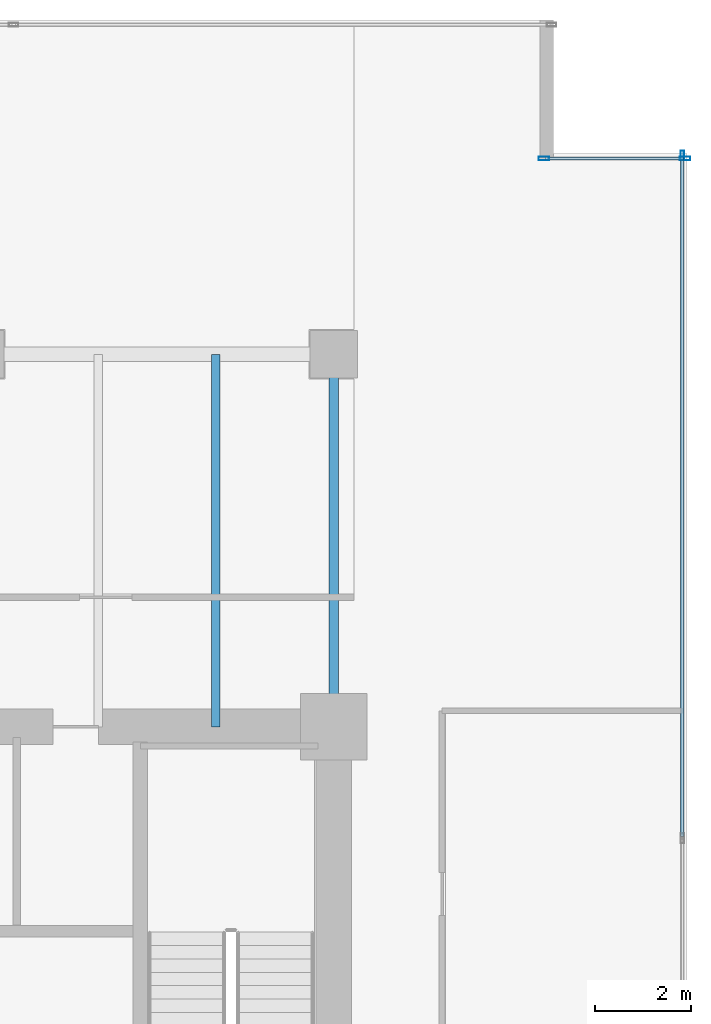
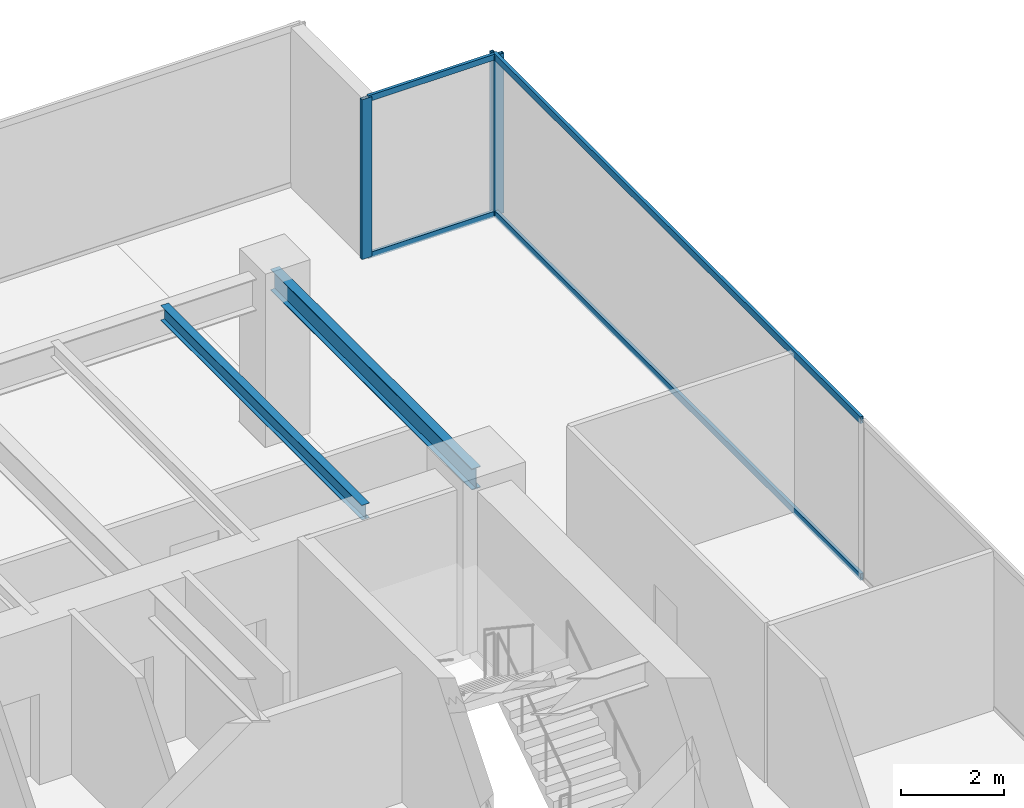
# One storey, part 26 of 36: 7 members, 2 beams, 2 elements without a shape of their own.
"""IFC4 building model written with IfcOpenShell, lengths in metres."""

from ifc_helpers import new_model, si_unit, direction, frame, origin, origin_2d, place, context, subcontext, project, spatial, hollow_rectangle, i_section, extrude, source, transform, mapped, material, layer, layer_set, material_profile, profile_set, type_object, type_shapes, element, aggregate, save


model = new_model("IFC4")

# Units and contexts
model_context = context("Model", 3, precision=1e-05, world=origin(), true_north=direction((0.0, 1.0)))
body_context = subcontext(model_context, "Body", "Model", "MODEL_VIEW")
ifc_project = project(units=[si_unit("LENGTHUNIT", "METRE"), si_unit("AREAUNIT", "SQUARE_METRE"), si_unit("VOLUMEUNIT", "CUBIC_METRE"), si_unit("PLANEANGLEUNIT", "RADIAN"), si_unit("MASSUNIT", "GRAM", prefix="KILO")], contexts=[model_context])

# Site, building, storey
site_placement = place(None, origin())
site = spatial("IfcSite", under=ifc_project, at=site_placement, CompositionType="ELEMENT")
building_placement = place(site_placement, origin())
building = spatial("IfcBuilding", under=site, at=building_placement, Name="Haelvirn Gate Laboratories", CompositionType="ELEMENT")
storey_placement = place(building_placement, frame((0.0, 0.0, 49.800048828125)))
storey = spatial("IfcBuildingStorey", under=building, at=storey_placement, Name="L12", CompositionType="ELEMENT", Elevation=49.800048828125)

# Beams
ifc_material_1 = material(Name="Steel SM355", Category="steel")
ifc_material_profile_1 = material_profile(ifc_material_1, i_section(OverallWidth=0.199951171875, OverallDepth=0.5, WebThickness=0.010009765625, FlangeThickness=0.01611328125, at=origin_2d()), Name="H-500x200x10x16")
ifc_profile_set_1 = profile_set([ifc_material_profile_1], Name="Steel SM355")
beam_type_1 = type_object("IfcBeamType", Name="BM-SP-500", PredefinedType="SPANDREL", material=ifc_profile_set_1)
shared_shape_1 = source(origin(), body_context, "Body", "SweptSolid", [
    extrude(i_section(OverallWidth=0.199951171875, OverallDepth=0.5, WebThickness=0.010009765625, FlangeThickness=0.01611328125, at=origin_2d()), origin(), (0.0, 0.0, 1.0), 7.800048828125),
])
type_shapes(beam_type_1, [shared_shape_1])
beam_1_placement = place(storey_placement, frame((67.39990234375, 33.800048828125, 3.530029296875), z_axis=(0.0, 1.0, 0.0), x_axis=(-1.0, 0.0, 0.0)))
element("IfcBeam", 1, at=beam_1_placement, inside=storey, type_object=beam_type_1, Name="L12 Perimeter Spandrel X67.4 (33.8-41.6)", PredefinedType="SPANDREL", context=body_context, shape_type="MappedRepresentation", body=[
    mapped(shared_shape_1, transform((0.0, 0.0, 0.0), scale=1.0)),
])
ifc_material_profile_2 = material_profile(ifc_material_1, i_section(OverallWidth=0.175048828125, OverallDepth=0.35009765625, WebThickness=0.007080078125, FlangeThickness=0.010986328125, at=origin_2d()), Name="H-350x175x7x11")
ifc_profile_set_2 = profile_set([ifc_material_profile_2], Name="Steel SM355")
beam_type_2 = type_object("IfcBeamType", Name="BM-J-350", PredefinedType="JOIST", material=ifc_profile_set_2)
shared_shape_2 = source(origin(), body_context, "Body", "SweptSolid", [
    extrude(i_section(OverallWidth=0.175048828125, OverallDepth=0.35009765625, WebThickness=0.007080078125, FlangeThickness=0.010986328125, at=origin_2d()), origin(), (0.0, 0.0, 1.0), 7.800048828125),
])
type_shapes(beam_type_2, [shared_shape_2])
beam_2_placement = place(storey_placement, frame((64.929931640625, 33.800048828125, 3.60498046875), z_axis=(0.0, 1.0, 0.0), x_axis=(-1.0, 0.0, 0.0)))
element("IfcBeam", 2, at=beam_2_placement, inside=storey, type_object=beam_type_2, Name="L12 Composite Lab Joist North X64.93", PredefinedType="JOIST", context=body_context, shape_type="MappedRepresentation", body=[
    mapped(shared_shape_2, transform((0.0, 0.0, 0.0), scale=1.0)),
])

# Curtain wall, member
ifc_material_2 = material(Name="Anodised bronze unitised aluminium & triple low-E glass", Category="aluminium")
ifc_layer_1 = layer(ifc_material_2, 0.18408203125, Name="CW-SYS-2")
ifc_layer_set_1 = layer_set([ifc_layer_1], Name="Anodised bronze unitised aluminium & triple low-E glass")
curtain_wall_type_1 = type_object("IfcCurtainWallType", Name="CW-SYS-2", PredefinedType="NOTDEFINED", material=ifc_layer_set_1)
curtain_wall_1_placement = place(storey_placement, origin())
curtain_wall_1 = element("IfcCurtainWall", 3, at=curtain_wall_1_placement, inside=storey, type_object=curtain_wall_type_1, Name="L12 Unitised Curtain Wall CW-L12-P0-E07", PredefinedType="NOTDEFINED")
ifc_material_3 = material(Name="Extruded aluminium 6063-T6 (anodised bronze)", Category="aluminium")
ifc_material_profile_3 = material_profile(ifc_material_3, hollow_rectangle(XDim=0.074951171875, YDim=0.199951171875, WallThickness=0.0048828125, at=origin_2d()), Name="CWM-200x75x5")
ifc_profile_set_3 = profile_set([ifc_material_profile_3], Name="Extruded aluminium 6063-T6 (anodised bronze)")
member_type_1 = type_object("IfcMemberType", Name="CWM-T200", PredefinedType="MULLION", material=ifc_profile_set_3)
shared_shape_3 = source(origin(), body_context, "Body", "SweptSolid", [
    extrude(hollow_rectangle(XDim=0.074951171875, YDim=0.199951171875, WallThickness=0.0048828125, at=origin_2d()), origin(), (0.0, 0.0, 1.0), 3.780029296875),
])
type_shapes(member_type_1, [shared_shape_3])
member_1_placement = place(storey_placement, frame((74.699951171875, 45.762451171875, 0.0), z_axis=(0.0, 0.0, 1.0), x_axis=(-1.0, 0.0, 0.0)))
member_1 = element("IfcMember", 4, at=member_1_placement, type_object=member_type_1, Name="CW2 mullion 4", PredefinedType="MULLION", context=body_context, shape_type="MappedRepresentation", body=[
    mapped(shared_shape_3, transform((0.0, 0.0, 0.0), scale=1.0)),
])

# Curtain wall, members
ifc_layer_2 = layer(ifc_material_2, 0.181884765625, Name="CW-SYS-5")
ifc_layer_set_2 = layer_set([ifc_layer_2], Name="Anodised bronze unitised aluminium & triple low-E glass")
curtain_wall_type_2 = type_object("IfcCurtainWallType", Name="CW-SYS-5", PredefinedType="NOTDEFINED", material=ifc_layer_set_2)
curtain_wall_2_placement = place(storey_placement, origin())
curtain_wall_2 = element("IfcCurtainWall", 5, at=curtain_wall_2_placement, inside=storey, type_object=curtain_wall_type_2, Name="L12 Unitised Curtain Wall CW-L12-P0-E08-1", PredefinedType="NOTDEFINED")
ifc_material_profile_4 = material_profile(ifc_material_3, hollow_rectangle(XDim=0.080078125, YDim=0.219970703125, WallThickness=0.006103515625, at=origin_2d()), Name="CWM-220x80x6")
ifc_profile_set_4 = profile_set([ifc_material_profile_4], Name="Extruded aluminium 6063-T6 (anodised bronze)")
member_type_2 = type_object("IfcMemberType", Name="CWM-T220", PredefinedType="MULLION", material=ifc_profile_set_4)
shared_shape_4 = source(origin(), body_context, "Body", "SweptSolid", [
    extrude(hollow_rectangle(XDim=0.080078125, YDim=0.219970703125, WallThickness=0.006103515625, at=origin_2d()), origin(), (0.0, 0.0, 1.0), 3.780029296875),
])
type_shapes(member_type_2, [shared_shape_4])
member_2_placement = place(storey_placement, frame((71.800048828125, 45.699951171875, 0.0), z_axis=(0.0, 0.0, 1.0), x_axis=(0.0, 1.0, 0.0)))
member_2 = element("IfcMember", 6, at=member_2_placement, type_object=member_type_2, Name="CW5 mullion 1", PredefinedType="MULLION", context=body_context, shape_type="MappedRepresentation", body=[
    mapped(shared_shape_4, transform((0.0, 0.0, 0.0), scale=1.0)),
])
member_3_placement = place(storey_placement, frame((74.760009765625, 45.699951171875, 0.0), z_axis=(0.0, 0.0, 1.0), x_axis=(0.0, 1.0, 0.0)))
member_3 = element("IfcMember", 7, at=member_3_placement, type_object=member_type_2, Name="CW5 mullion 2", PredefinedType="MULLION", context=body_context, shape_type="MappedRepresentation", body=[
    mapped(shared_shape_4, transform((0.0, 0.0, 0.0), scale=1.0)),
])
ifc_material_profile_5 = material_profile(ifc_material_3, hollow_rectangle(XDim=0.06494140625, YDim=0.139892578125, WallThickness=0.00390625, at=origin_2d()), Name="CWT-140x65x4")
ifc_profile_set_5 = profile_set([ifc_material_profile_5], Name="Extruded aluminium 6063-T6 (anodised bronze)")
member_type_3 = type_object("IfcMemberType", Name="CWT-T140", PredefinedType="USERDEFINED", material=ifc_profile_set_5)
shared_shape_5 = source(origin(), body_context, "Body", "SweptSolid", [
    extrude(hollow_rectangle(XDim=0.06494140625, YDim=0.139892578125, WallThickness=0.00390625, at=origin_2d()), origin(), (0.0, 0.0, 1.0), 2.8798828125),
])
type_shapes(member_type_3, [shared_shape_5])
member_4_placement = place(storey_placement, frame((71.840087890625, 45.699951171875, 0.032470703125), z_axis=(1.0, 0.0, 0.0), x_axis=(0.0, 1.0, 0.0)))
member_4 = element("IfcMember", 8, at=member_4_placement, type_object=member_type_3, Name="CW5 transom 1.1", ObjectType="TRANSOM", PredefinedType="USERDEFINED", context=body_context, shape_type="MappedRepresentation", body=[
    mapped(shared_shape_5, transform((0.0, 0.0, 0.0), scale=1.0)),
])
member_5_placement = place(storey_placement, frame((71.840087890625, 45.699951171875, 3.74755859375), z_axis=(1.0, 0.0, 0.0), x_axis=(0.0, 1.0, 0.0)))
member_5 = element("IfcMember", 9, at=member_5_placement, type_object=member_type_3, Name="CW5 transom 1.2", ObjectType="TRANSOM", PredefinedType="USERDEFINED", context=body_context, shape_type="MappedRepresentation", body=[
    mapped(shared_shape_5, transform((0.0, 0.0, 0.0), scale=1.0)),
])
aggregate(curtain_wall_2, [member_2, member_3, member_4, member_5])

# Member
ifc_material_profile_6 = material_profile(ifc_material_3, hollow_rectangle(XDim=0.070068359375, YDim=0.159912109375, WallThickness=0.0048828125, at=origin_2d()), Name="CWT-160x70x5")
ifc_profile_set_6 = profile_set([ifc_material_profile_6], Name="Extruded aluminium 6063-T6 (anodised bronze)")
member_type_4 = type_object("IfcMemberType", Name="CWT-T160", PredefinedType="USERDEFINED", material=ifc_profile_set_6)
shared_shape_6 = source(origin(), body_context, "Body", "SweptSolid", [
    extrude(hollow_rectangle(XDim=0.070068359375, YDim=0.159912109375, WallThickness=0.0048828125, at=origin_2d()), origin(), (0.0, 0.0, 1.0), 14.220947265625),
])
type_shapes(member_type_4, [shared_shape_6])
member_6_placement = place(storey_placement, frame((74.699951171875, 31.504150390625, 0.034912109375), z_axis=(0.0, 1.0, 0.0), x_axis=(-1.0, 0.0, 0.0)))
member_6 = element("IfcMember", 10, at=member_6_placement, type_object=member_type_4, Name="CW2 transom 3.1", ObjectType="TRANSOM", PredefinedType="USERDEFINED", context=body_context, shape_type="MappedRepresentation", body=[
    mapped(shared_shape_6, transform((0.0, 0.0, 0.0), scale=1.0)),
])

member_7_placement = place(storey_placement, frame((74.699951171875, 31.504150390625, 3.744873046875), z_axis=(0.0, 1.0, 0.0), x_axis=(-1.0, 0.0, 0.0)))
member_7 = element("IfcMember", 11, at=member_7_placement, type_object=member_type_4, Name="CW2 transom 3.2", ObjectType="TRANSOM", PredefinedType="USERDEFINED", context=body_context, shape_type="MappedRepresentation", body=[
    mapped(shared_shape_6, transform((0.0, 0.0, 0.0), scale=1.0)),
])

aggregate(curtain_wall_1, [member_1, member_6, member_7])

save(model, "model.ifc")
